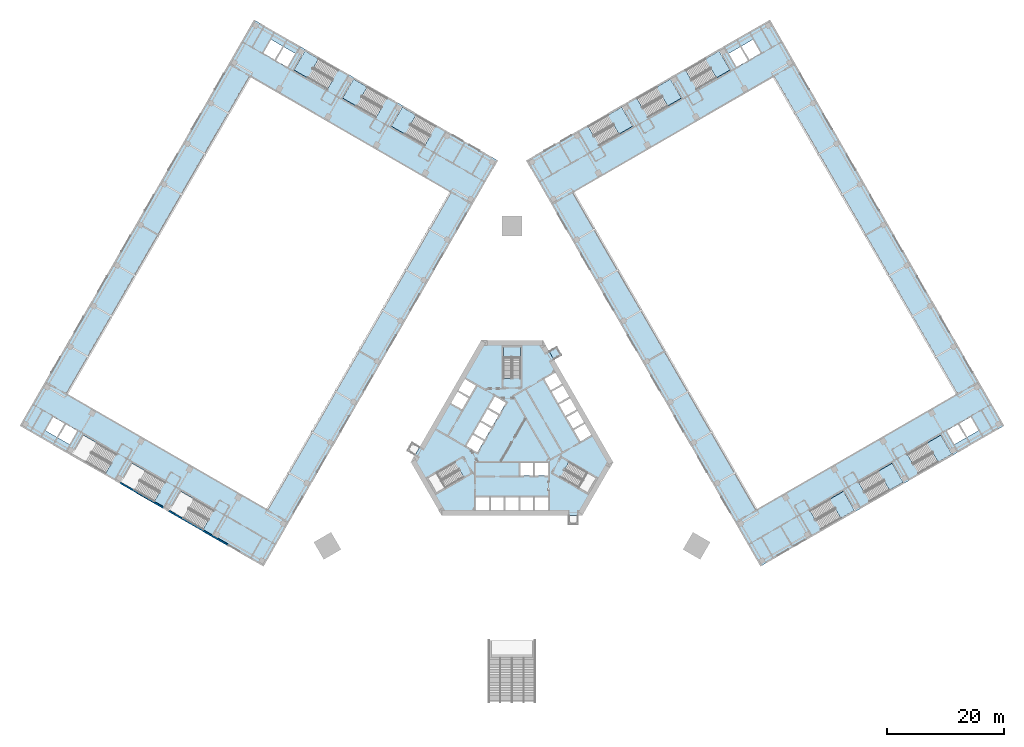
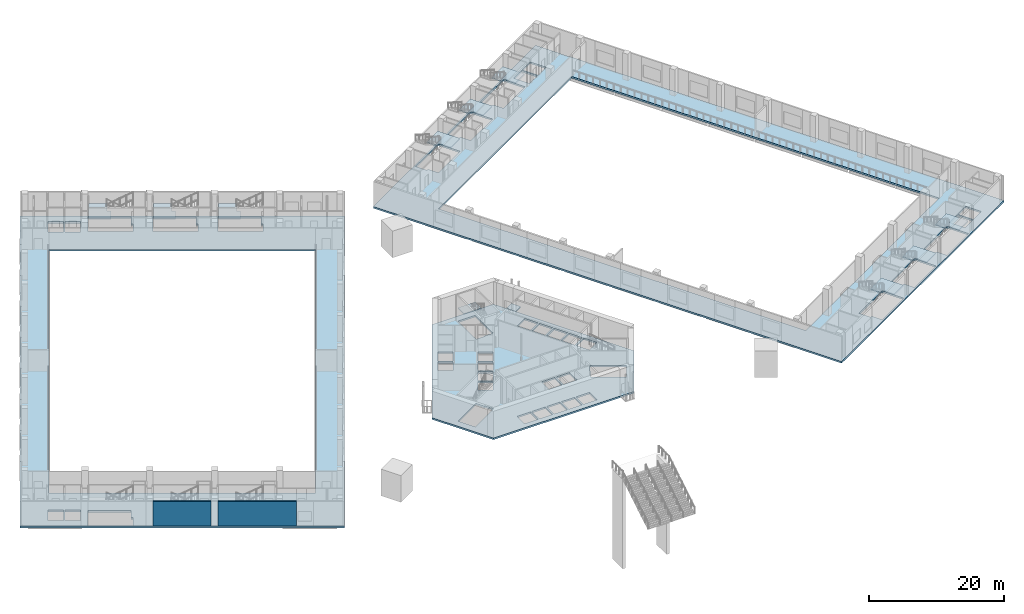
# One storey, part 5 of 28: 14 slabs, 2 walls, 10 elements without a shape of their own.
"""IFC4 building model written with IfcOpenShell, lengths in metres."""

import ifcopenshell
import ifcopenshell.guid

model = None  # the IFC model being written
_history = None  # IfcOwnerHistory: only IFC2X3 demands one
_inside = {}  # id of a spatial element -> (the spatial element, [elements in it])
_under = {}  # id of a project, library or spatial element -> (it, [spatial elements below it])
_declared = {}  # id of a project -> (the project, [libraries it declares])
_typed = {}  # id of a type object -> (the type object, [elements of that type])
_made_of = {}  # id of a material, layer set ... -> (it, [elements and type objects made of it])


def new_model(schema):
    """Start an empty IFC model of exactly this schema.

    Asked for "IFC4X3", IfcOpenShell would pick the latest addendum, in which some entities
    have other attributes; the version numbers below select the first issue.
    IFC2X3 requires an IfcOwnerHistory on every rooted entity: one is made here for all.
    """
    global model, _history
    if schema == "IFC4X3":
        model = ifcopenshell.file(schema_version=(4, 3, 0, 0))
    else:
        model = ifcopenshell.file(schema=schema)
    _inside.clear()
    _under.clear()
    _declared.clear()
    _typed.clear()
    _made_of.clear()
    _history = None
    if model.schema == "IFC2X3":
        org = make("IfcOrganization", Name="unknown")
        user = make(
            "IfcPersonAndOrganization",
            ThePerson=make("IfcPerson", FamilyName="unknown"),
            TheOrganization=org,
        )
        app = make(
            "IfcApplication",
            ApplicationDeveloper=org,
            Version="unknown",
            ApplicationFullName="unknown",
            ApplicationIdentifier="unknown",
        )
        _history = make(
            "IfcOwnerHistory",
            OwningUser=user,
            OwningApplication=app,
            ChangeAction="ADDED",
            CreationDate=0,
        )
    return model


def make(cls, **values):
    """One entity of the class cls with the attributes given. An attribute that is None is left unset."""
    return model.create_entity(
        cls, **{name: value for name, value in values.items() if value is not None}
    )


def rooted(cls, **values):
    """An entity with a GlobalId (a new one), such as an element, a storey or a relation."""
    return make(cls, GlobalId=ifcopenshell.guid.new(), OwnerHistory=_history, **values)


def si_unit(unit_type, name, prefix=None):
    """IfcSIUnit, for example si_unit("LENGTHUNIT", "METRE", prefix="MILLI")."""
    return make("IfcSIUnit", UnitType=unit_type, Prefix=prefix, Name=name)


def assignment(units):
    """IfcUnitAssignment: the units of a project."""
    return None if units is None else make("IfcUnitAssignment", Units=units)


def point(xyz):
    """IfcCartesianPoint."""
    return None if xyz is None else make("IfcCartesianPoint", Coordinates=xyz)


def direction(xyz):
    """IfcDirection."""
    return None if xyz is None else make("IfcDirection", DirectionRatios=xyz)


def frame(location, z_axis=None, x_axis=None):
    """IfcAxis2Placement3D, a coordinate frame: its origin and axes. An axis left out is left unset."""
    return make(
        "IfcAxis2Placement3D",
        Location=point(location),
        Axis=direction(z_axis),
        RefDirection=direction(x_axis),
    )


def frame_2d(location, x_axis=None):
    """IfcAxis2Placement2D, a coordinate frame in the plane: its origin and x axis."""
    return make(
        "IfcAxis2Placement2D", Location=point(location), RefDirection=direction(x_axis)
    )


def origin():
    """The frame at (0, 0, 0) with its axes left unset."""
    return frame((0.0, 0.0, 0.0))


def place(relative_to, where):
    """IfcLocalPlacement: puts the frame where relative to a parent placement (None: the world)."""
    return make(
        "IfcLocalPlacement", PlacementRelTo=relative_to, RelativePlacement=where
    )


def context(
    kind, dimensions, precision=None, world=None, true_north=None, identifier=None
):
    """IfcGeometricRepresentationContext, for example the 3D "Model" context."""
    return make(
        "IfcGeometricRepresentationContext",
        ContextIdentifier=identifier,
        ContextType=kind,
        CoordinateSpaceDimension=dimensions,
        Precision=precision,
        WorldCoordinateSystem=world,
        TrueNorth=true_north,
    )


def subcontext(parent, identifier, kind, view, scale=None):
    """IfcGeometricRepresentationSubContext, for example "Body" below "Model"."""
    return make(
        "IfcGeometricRepresentationSubContext",
        ContextIdentifier=identifier,
        ContextType=kind,
        ParentContext=parent,
        TargetScale=scale,
        TargetView=view,
    )


def project(units=None, contexts=None):
    """IfcProject with its units and contexts."""
    return rooted(
        "IfcProject",
        Name="project",
        RepresentationContexts=contexts,
        UnitsInContext=assignment(units),
    )


def spatial(cls, under=None, at=None, **own):
    """A site, building, storey or space (cls), placed at a placement, below another one or the project."""
    s = rooted(cls, ObjectPlacement=at, **own)
    if under is not None:
        _under.setdefault(under.id(), (under, []))[1].append(s)
    return s


def polyline(points):
    """IfcPolyline through the points."""
    return make("IfcPolyline", Points=[point(p) for p in points])


def profile(cls, at=None, kind="AREA", **sizes):
    """A parametric profile (cls). Its sizes go by their IFC names, for example OverallWidth=200.0."""
    return make(cls, ProfileType=kind, Position=at, **sizes)


def rectangle(**sizes):
    """IfcRectangleProfileDef."""
    return profile("IfcRectangleProfileDef", **sizes)


def outline(outer, holes=None, kind="AREA"):
    """IfcArbitraryClosedProfileDef: a profile drawn as a closed curve; with holes, ...WithVoids."""
    if holes is None:
        return make("IfcArbitraryClosedProfileDef", ProfileType=kind, OuterCurve=outer)
    return make(
        "IfcArbitraryProfileDefWithVoids",
        ProfileType=kind,
        OuterCurve=outer,
        InnerCurves=holes,
    )


def extrude(swept, where, along, depth):
    """IfcExtrudedAreaSolid: the profile swept, set in the frame where, extruded along a direction by depth."""
    return make(
        "IfcExtrudedAreaSolid",
        SweptArea=swept,
        Position=where,
        ExtrudedDirection=direction(along),
        Depth=depth,
    )


def shape(context_of_items, identifier, shape_type, items):
    """IfcShapeRepresentation: the items that make up one representation, for example the "Body"."""
    return make(
        "IfcShapeRepresentation",
        ContextOfItems=context_of_items,
        RepresentationIdentifier=identifier,
        RepresentationType=shape_type,
        Items=items,
    )


def material(Name=None, Category=None):
    """IfcMaterial."""
    return make("IfcMaterial", Name=Name, Category=Category)


def layer(
    of_material, thickness, ventilated=None, Name=None, Category=None, Priority=None
):
    """IfcMaterialLayer: one layer of a wall or slab, of a material (None: an air gap)."""
    return make(
        "IfcMaterialLayer",
        Material=of_material,
        LayerThickness=thickness,
        IsVentilated=ventilated,
        Name=Name,
        Category=Category,
        Priority=Priority,
    )


def layer_set(layers, Name=None):
    """IfcMaterialLayerSet."""
    return make("IfcMaterialLayerSet", MaterialLayers=layers, LayerSetName=Name)


def made_of(thing, what):
    """Note that an element or type object is made of a material, layer set ...; save() writes the relation."""
    if what is not None:
        _made_of.setdefault(what.id(), (what, []))[1].append(thing)
    return thing


def type_object(cls, material=None, **own):
    """A type object (cls), such as IfcWallType, which elements share."""
    return made_of(rooted(cls, **own), material)


def element(
    cls,
    number,
    at=None,
    inside=None,
    cuts=None,
    type_object=None,
    material=None,
    context=None,
    identifier="Body",
    shape_type=None,
    held_by="IfcProductDefinitionShape",
    body=None,
    shapes=None,
    **own,
):
    """One element of the class cls, such as IfcWall. Its Tag is "e" and its number.

    at: its placement. inside: the storey or other place that contains it. cuts: it is an
    opening in that element (IfcRelVoidsElement). A single representation is given by context,
    identifier, shape_type and body (its items); several are given by shapes. held_by: the class
    of the entity that holds the representations. save() writes the other relations.
    """
    e = rooted(cls, Tag="e%d" % number, ObjectPlacement=at, **own)
    if body is not None:
        shapes = [shape(context, identifier, shape_type, body)]
    if shapes is not None:
        e.Representation = make(held_by, Representations=shapes)
    if inside is not None:
        _inside.setdefault(inside.id(), (inside, []))[1].append(e)
    if cuts is not None:
        rooted(
            "IfcRelVoidsElement", RelatingBuildingElement=cuts, RelatedOpeningElement=e
        )
    if type_object is not None:
        _typed.setdefault(type_object.id(), (type_object, []))[1].append(e)
    return made_of(e, material)


def aggregate(whole, parts):
    """IfcRelAggregates: a whole, such as a stair, and the parts it consists of."""
    return rooted("IfcRelAggregates", RelatingObject=whole, RelatedObjects=parts)


def save(model, path):
    """Write the relations noted so far, then the file.

    IfcRelAggregates (storeys below a building ...), IfcRelContainedInSpatialStructure (elements
    in a storey), IfcRelDefinesByType, IfcRelAssociatesMaterial and IfcRelDeclares: one each for
    every whole, place, type object, material and project.
    """
    for whole, parts in _under.values():
        aggregate(whole, parts)
    for where, things in _inside.values():
        rooted(
            "IfcRelContainedInSpatialStructure",
            RelatedElements=things,
            RelatingStructure=where,
        )
    for kind, things in _typed.values():
        rooted("IfcRelDefinesByType", RelatedObjects=things, RelatingType=kind)
    for what, things in _made_of.values():
        rooted("IfcRelAssociatesMaterial", RelatedObjects=things, RelatingMaterial=what)
    for by, libraries in _declared.values():
        rooted("IfcRelDeclares", RelatingContext=by, RelatedDefinitions=libraries)
    model.write(path)


model = new_model("IFC4")

# Units and contexts
model_context = context("Model", 3, precision=1e-05, world=origin(), true_north=direction((0.0, 1.0)))
body_context = subcontext(model_context, "Body", "Model", "MODEL_VIEW")
ifc_project = project(units=[si_unit("LENGTHUNIT", "METRE"), si_unit("AREAUNIT", "SQUARE_METRE"), si_unit("VOLUMEUNIT", "CUBIC_METRE"), si_unit("PLANEANGLEUNIT", "RADIAN"), si_unit("MASSUNIT", "GRAM", prefix="KILO")], contexts=[model_context])

# Site, building, storey
site_placement = place(None, origin())
site = spatial("IfcSite", under=ifc_project, at=site_placement, CompositionType="ELEMENT")
building_placement = place(site_placement, origin())
building = spatial("IfcBuilding", under=site, at=building_placement, Name="Mestral Congress Tower", CompositionType="ELEMENT")
storey_placement = place(building_placement, frame((0.0, 0.0, 11.39990234375)))
storey = spatial("IfcBuildingStorey", under=building, at=storey_placement, Name="L02", CompositionType="ELEMENT", Elevation=11.39990234375)

# Slabs
ifc_material_1 = material(Name="Concrete C35/45", Category="concrete")
ifc_layer_1 = layer(ifc_material_1, 0.300048828125)
ifc_layer_set_1 = layer_set([ifc_layer_1], Name="Concrete C35/45")
slab_type_1 = type_object("IfcSlabType", Name="Composite floor slab 300", PredefinedType="FLOOR", material=ifc_layer_set_1)
placement_1 = place(storey_placement, frame((0.0, 0.0, -0.2998046875)))
element("IfcSlab", 1, at=placement_1, inside=storey, type_object=slab_type_1, Name="SL-L02-E-0", PredefinedType="FLOOR", context=body_context, shape_type="SweptSolid", body=[
    extrude(outline(polyline([(42.454345703125, -21.677001953125), (84.0234375, 2.322998046875), (44.0234375, 71.60498046875), (2.454345703125, 47.60498046875), (42.454345703125, -21.677001953125)]), holes=[polyline([(50.898681640625, -12.182861328125), (56.6923828125, -8.837890625), (57.59228515625, -10.396728515625), (57.667236328125, -10.526611328125), (58.5673828125, -12.08544921875), (53.024658203125, -15.285400390625), (52.124755859375, -13.7265625), (51.87353515625, -13.87158203125), (51.798583984375, -13.74169921875), (50.898681640625, -12.182861328125)]), polyline([(75.987060546875, 7.642578125), (41.86572265625, -12.0576171875), (10.49072265625, 42.28564453125), (44.612060546875, 61.985595703125), (75.987060546875, 7.642578125)]), polyline([(59.21240234375, -7.3828125), (65.006103515625, -4.037841796875), (65.906005859375, -5.5966796875), (65.981201171875, -5.7265625), (66.881103515625, -7.285400390625), (61.338623046875, -10.485595703125), (60.438720703125, -8.926513671875), (60.1875, -9.071533203125), (60.1123046875, -8.941650390625), (59.21240234375, -7.3828125)]), polyline([(68.42626953125, -4.1416015625), (67.5263671875, -2.5830078125), (73.320068359375, 0.76220703125), (74.219970703125, -0.796630859375), (74.294921875, -0.926513671875), (75.195068359375, -2.485595703125), (69.65234375, -5.685546875), (68.75244140625, -4.126708984375), (68.501220703125, -4.271484375), (68.42626953125, -4.1416015625)]), polyline([(76.189453125, 2.592041015625), (77.53955078125, 0.253662109375), (75.547607421875, -0.896240234375), (74.197509765625, 1.44189453125), (76.189453125, 2.592041015625)]), polyline([(79.70458984375, 1.503662109375), (77.712646484375, 0.353759765625), (76.36279296875, 2.69189453125), (78.3544921875, 3.842041015625), (79.70458984375, 1.503662109375)]), polyline([(13.923583984375, 51.859619140625), (13.023681640625, 53.41845703125), (18.8173828125, 56.763427734375), (19.71728515625, 55.20458984375), (19.792236328125, 55.07470703125), (20.6923828125, 53.515869140625), (15.149658203125, 50.31591796875), (14.249755859375, 51.874755859375), (13.99853515625, 51.729736328125), (13.923583984375, 51.859619140625)]), polyline([(22.2373046875, 56.65966796875), (21.33740234375, 58.218505859375), (27.131103515625, 61.5634765625), (28.031005859375, 60.004638671875), (28.106201171875, 59.874755859375), (29.006103515625, 58.31591796875), (23.463623046875, 55.115966796875), (22.563720703125, 56.6748046875), (22.3125, 56.52978515625), (22.2373046875, 56.65966796875)]), polyline([(29.6513671875, 63.0185546875), (35.445068359375, 66.363525390625), (36.344970703125, 64.8046875), (36.419921875, 64.6748046875), (37.320068359375, 63.115966796875), (31.77734375, 59.916015625), (30.87744140625, 61.474853515625), (30.626220703125, 61.329833984375), (30.55126953125, 61.459716796875), (29.6513671875, 63.0185546875)]), polyline([(38.989501953125, 67.0244140625), (40.339599609375, 64.68603515625), (38.34765625, 63.535888671875), (36.99755859375, 65.874267578125), (38.989501953125, 67.0244140625)]), polyline([(41.154541015625, 68.2744140625), (42.50439453125, 65.93603515625), (40.5126953125, 64.785888671875), (39.16259765625, 67.124267578125), (41.154541015625, 68.2744140625)])]), origin(), (0.0, 0.0, 1.0), 0.2998046875),
])
element("IfcSlab", 2, at=placement_1, inside=storey, type_object=slab_type_1, Name="SL-L02-W-0", PredefinedType="FLOOR", context=body_context, shape_type="SweptSolid", body=[
    extrude(outline(polyline([(-2.454345703125, 47.60498046875), (-44.0234375, 71.60498046875), (-84.0234375, 2.322998046875), (-42.454345703125, -21.677001953125), (-2.454345703125, 47.60498046875)]), holes=[polyline([(-14.898681640625, 50.1708984375), (-20.6923828125, 53.515869140625), (-19.792236328125, 55.07470703125), (-19.71728515625, 55.20458984375), (-18.8173828125, 56.763427734375), (-13.274658203125, 53.5634765625), (-14.1748046875, 52.004638671875), (-13.923583984375, 51.859619140625), (-13.99853515625, 51.729736328125), (-14.898681640625, 50.1708984375)]), polyline([(-44.612060546875, 61.985595703125), (-10.49072265625, 42.285400390625), (-41.86572265625, -12.0576171875), (-75.987060546875, 7.642333984375), (-44.612060546875, 61.985595703125)]), polyline([(-23.21240234375, 54.970947265625), (-29.006103515625, 58.31591796875), (-28.106201171875, 59.874755859375), (-28.031005859375, 60.004638671875), (-27.131103515625, 61.5634765625), (-21.588623046875, 58.363525390625), (-22.488525390625, 56.8046875), (-22.2373046875, 56.65966796875), (-22.3125, 56.52978515625), (-23.21240234375, 54.970947265625)]), polyline([(-30.626220703125, 61.32958984375), (-31.5263671875, 59.77099609375), (-37.320068359375, 63.115966796875), (-36.419921875, 64.6748046875), (-36.344970703125, 64.8046875), (-35.445068359375, 66.363525390625), (-29.90234375, 63.16357421875), (-30.802490234375, 61.6044921875), (-30.55126953125, 61.459716796875), (-30.626220703125, 61.32958984375)]), polyline([(-40.339599609375, 64.68603515625), (-38.989501953125, 67.0244140625), (-36.99755859375, 65.874267578125), (-38.34765625, 63.535888671875), (-40.339599609375, 64.68603515625)]), polyline([(-41.154541015625, 68.2744140625), (-39.16259765625, 67.124267578125), (-40.5126953125, 64.785888671875), (-42.50439453125, 65.93603515625), (-41.154541015625, 68.2744140625)]), polyline([(-51.87353515625, -13.87158203125), (-52.773681640625, -15.430419921875), (-58.5673828125, -12.08544921875), (-57.667236328125, -10.526611328125), (-57.59228515625, -10.396728515625), (-56.6923828125, -8.837890625), (-51.149658203125, -12.037841796875), (-52.0498046875, -13.5966796875), (-51.798583984375, -13.74169921875), (-51.87353515625, -13.87158203125)]), polyline([(-60.1875, -9.07177734375), (-61.08740234375, -10.630615234375), (-66.881103515625, -7.285400390625), (-65.981201171875, -5.726806640625), (-65.906005859375, -5.5966796875), (-65.006103515625, -4.037841796875), (-59.463623046875, -7.23779296875), (-60.363525390625, -8.796875), (-60.1123046875, -8.94189453125), (-60.1875, -9.07177734375)]), polyline([(-69.4013671875, -5.83056640625), (-75.195068359375, -2.485595703125), (-74.294921875, -0.9267578125), (-74.219970703125, -0.796875), (-73.320068359375, 0.76220703125), (-67.77734375, -2.43798828125), (-68.677490234375, -3.996826171875), (-68.42626953125, -4.141845703125), (-68.501220703125, -4.271728515625), (-69.4013671875, -5.83056640625)]), polyline([(-77.53955078125, 0.253662109375), (-76.189453125, 2.592041015625), (-74.197509765625, 1.44189453125), (-75.547607421875, -0.896240234375), (-77.53955078125, 0.253662109375)]), polyline([(-79.70458984375, 1.503662109375), (-78.3544921875, 3.842041015625), (-76.36279296875, 2.69189453125), (-77.712646484375, 0.353759765625), (-79.70458984375, 1.503662109375)])]), origin(), (0.0, 0.0, 1.0), 0.2998046875),
])
ifc_material_2 = material(Name="Concrete C60/75", Category="concrete")
ifc_layer_2 = layer(ifc_material_2, 0.300048828125)
ifc_layer_set_2 = layer_set([ifc_layer_2], Name="Concrete C60/75")
slab_type_2 = type_object("IfcSlabType", Name="Core floor slab RC 300", PredefinedType="FLOOR", material=ifc_layer_set_2)
element("IfcSlab", 3, at=placement_1, inside=storey, type_object=slab_type_2, Name="L02 core floor", PredefinedType="FLOOR", context=body_context, shape_type="SweptSolid", body=[
    extrude(outline(polyline([(12.0087890625, -13.0), (-12.0087890625, -13.0), (-17.2626953125, -3.89990234375), (-5.25390625, 16.89990234375), (5.25390625, 16.89990234375), (17.2626953125, -3.89990234375), (12.0087890625, -13.0)]), holes=[polyline([(-3.905029296875, -9.89990234375), (-6.175048828125, -9.89990234375), (-6.175048828125, -12.10009765625), (-3.905029296875, -12.10009765625), (-3.905029296875, -9.89990234375)]), polyline([(-1.385009765625, -9.89990234375), (-3.655029296875, -9.89990234375), (-3.655029296875, -12.10009765625), (-1.385009765625, -12.10009765625), (-1.385009765625, -9.89990234375)]), polyline([(1.135009765625, -9.89990234375), (-1.135009765625, -9.89990234375), (-1.135009765625, -12.10009765625), (1.135009765625, -12.10009765625), (1.135009765625, -9.89990234375)]), polyline([(-9.0673828125, -5.235107421875), (-9.8046875, -3.95751953125), (-14.37744140625, -6.59765625), (-12.90234375, -9.15234375), (-8.234619140625, -6.45751953125), (-8.971923828125, -5.179931640625), (-9.0673828125, -5.235107421875)]), polyline([(-7.826904296875, -1.156494140625), (-5.921630859375, -2.256591796875), (-4.78662109375, -0.29052734375), (-6.69189453125, 0.809326171875), (-7.826904296875, -1.156494140625)]), polyline([(-4.66162109375, -0.07421875), (-3.526611328125, 1.8916015625), (-5.431884765625, 2.99169921875), (-6.56689453125, 1.02587890625), (-4.66162109375, -0.07421875)]), polyline([(-3.401611328125, 2.1083984375), (-2.2666015625, 4.07421875), (-4.171875, 5.174072265625), (-5.306884765625, 3.208251953125), (-3.401611328125, 2.1083984375)]), polyline([(-2.1416015625, 4.29052734375), (-1.006591796875, 6.256591796875), (-2.911865234375, 7.3564453125), (-4.046875, 5.390625), (-2.1416015625, 4.29052734375)]), polyline([(-10.41650390625, 6.158203125), (-8.51123046875, 5.058349609375), (-7.376220703125, 7.024169921875), (-9.281494140625, 8.1240234375), (-10.41650390625, 6.158203125)]), polyline([(-9.156494140625, 8.340576171875), (-7.251220703125, 7.240478515625), (-6.1162109375, 9.20654296875), (-8.021484375, 10.306396484375), (-9.156494140625, 8.340576171875)]), polyline([(1.47509765625, 10.469970703125), (1.47509765625, 15.75), (-1.47509765625, 15.75), (-1.47509765625, 10.360107421875), (0.0, 10.360107421875), (0.0, 10.469970703125), (1.47509765625, 10.469970703125)]), polyline([(3.655029296875, -9.89990234375), (1.385009765625, -9.89990234375), (1.385009765625, -12.10009765625), (3.655029296875, -12.10009765625), (3.655029296875, -9.89990234375)]), polyline([(6.175048828125, -9.89990234375), (3.905029296875, -9.89990234375), (3.905029296875, -12.10009765625), (6.175048828125, -12.10009765625), (6.175048828125, -9.89990234375)]), polyline([(9.0673828125, -5.235107421875), (8.329833984375, -6.512451171875), (12.90234375, -9.15234375), (14.37744140625, -6.59765625), (9.70947265625, -3.902587890625), (8.971923828125, -5.179931640625), (9.0673828125, -5.235107421875)]), polyline([(3.655029296875, -6.199951171875), (3.655029296875, -4.0), (1.385009765625, -4.0), (1.385009765625, -6.199951171875), (3.655029296875, -6.199951171875)]), polyline([(6.175048828125, -4.0), (3.905029296875, -4.0), (3.905029296875, -6.199951171875), (6.175048828125, -6.199951171875), (6.175048828125, -4.0)]), polyline([(12.431396484375, 2.668212890625), (10.526123046875, 1.568115234375), (11.6611328125, -0.397705078125), (13.56640625, 0.702392578125), (12.431396484375, 2.668212890625)]), polyline([(11.17138671875, 4.8505859375), (9.26611328125, 3.75048828125), (10.401123046875, 1.78466796875), (12.306396484375, 2.884765625), (11.17138671875, 4.8505859375)]), polyline([(8.006103515625, 5.932861328125), (9.14111328125, 3.967041015625), (11.04638671875, 5.067138671875), (9.911376953125, 7.032958984375), (8.006103515625, 5.932861328125)]), polyline([(8.6513671875, 9.21533203125), (6.74609375, 8.115234375), (7.881103515625, 6.1494140625), (9.786376953125, 7.24951171875), (8.6513671875, 9.21533203125)]), polyline([(7.391357421875, 11.397705078125), (5.486083984375, 10.297607421875), (6.62109375, 8.331787109375), (8.5263671875, 9.431884765625), (7.391357421875, 11.397705078125)])]), origin(), (0.0, 0.0, 1.0), 0.2998046875),
])

# Stair, slab
stair_type_1 = type_object("IfcStairType", Name="Exit stair 1400", PredefinedType="HALF_TURN_STAIR", material=ifc_material_2)
placement_2 = place(storey_placement, origin())
stair_1 = element("IfcStair", 4, at=placement_2, inside=storey, type_object=stair_type_1, Name="L02 ST2", PredefinedType="HALF_TURN_STAIR")
ifc_layer_3 = layer(ifc_material_2, 0.199951171875)
ifc_layer_set_3 = layer_set([ifc_layer_3], Name="Concrete C60/75")
slab_type_3 = type_object("IfcSlabType", Name="Exit stair landing 200", PredefinedType="LANDING", material=ifc_layer_set_3)
placement_3 = place(storey_placement, frame((0.0, 0.0, 2.2001953125)))
slab_4 = element("IfcSlab", 5, at=placement_3, type_object=slab_type_3, Name="ST2 landing 1", PredefinedType="LANDING", context=body_context, shape_type="SweptSolid", body=[
    extrude(outline(polyline([(1.485107421875, 13.97998046875), (-1.485107421875, 13.97998046875), (-1.485107421875, 15.760009765625), (1.485107421875, 15.760009765625), (1.485107421875, 13.97998046875)])), origin(), (0.0, 0.0, 1.0), 0.199951171875),
])
aggregate(stair_1, [slab_4])

# Slab
ifc_material_3 = material(Name="Concrete C40/50", Category="concrete")
ifc_layer_4 = layer(ifc_material_3, 0.199951171875)
ifc_layer_set_4 = layer_set([ifc_layer_4], Name="Concrete C40/50")
slab_type_4 = type_object("IfcSlabType", Name="Podium door landing slab 200", PredefinedType="LANDING", material=ifc_layer_set_4)
slab_5_placement = place(storey_placement, frame((0.0, 0.0, -0.199951171875)))
element("IfcSlab", 6, at=slab_5_placement, inside=storey, type_object=slab_type_4, Name="Door landing", PredefinedType="LANDING", context=body_context, shape_type="SweptSolid", body=[
    extrude(outline(polyline([(7.140625, 13.632080078125), (8.439697265625, 14.382080078125), (7.6396484375, 15.767822265625), (6.340576171875, 15.017822265625), (7.140625, 13.632080078125)])), origin(), (0.0, 0.0, 1.0), 0.199951171875),
])

# Stair, slab
stair_type_2 = type_object("IfcStairType", Name="Podium exit stair 1800", PredefinedType="HALF_TURN_STAIR", material=ifc_material_3)
stair_2 = element("IfcStair", 7, at=placement_2, inside=storey, type_object=stair_type_2, Name="L02 Exit stair E1", PredefinedType="HALF_TURN_STAIR")
ifc_layer_5 = layer(ifc_material_3, 0.199951171875)
ifc_layer_set_5 = layer_set([ifc_layer_5], Name="Concrete C40/50")
slab_type_5 = type_object("IfcSlabType", Name="Podium exit stair landing 200", PredefinedType="LANDING", material=ifc_layer_set_5)
slab_6 = element("IfcSlab", 8, at=placement_3, type_object=slab_type_5, Name="PS-E1 landing 1", PredefinedType="LANDING", context=body_context, shape_type="SweptSolid", body=[
    extrude(outline(polyline([(58.480712890625, -12.135498046875), (56.151123046875, -13.48046875), (55.176025390625, -11.791748046875), (54.6650390625, -12.086669921875), (53.76513671875, -10.52783203125), (56.605712890625, -8.887939453125), (58.480712890625, -12.135498046875)])), origin(), (0.0, 0.0, 1.0), 0.199951171875),
])
aggregate(stair_2, [slab_6])

stair_3 = element("IfcStair", 9, at=placement_2, inside=storey, type_object=stair_type_2, Name="L02 Exit stair E2", PredefinedType="HALF_TURN_STAIR")
slab_7 = element("IfcSlab", 10, at=placement_3, type_object=slab_type_5, Name="PS-E2 landing 1", PredefinedType="LANDING", context=body_context, shape_type="SweptSolid", body=[
    extrude(outline(polyline([(66.79443359375, -7.33544921875), (64.46484375, -8.680419921875), (63.489990234375, -6.99169921875), (62.97900390625, -7.286865234375), (62.078857421875, -5.727783203125), (64.91943359375, -4.087890625), (66.79443359375, -7.33544921875)])), origin(), (0.0, 0.0, 1.0), 0.199951171875),
])
aggregate(stair_3, [slab_7])

stair_4 = element("IfcStair", 11, at=placement_2, inside=storey, type_object=stair_type_2, Name="L02 Exit stair E3", PredefinedType="HALF_TURN_STAIR")
slab_8 = element("IfcSlab", 12, at=placement_3, type_object=slab_type_5, Name="PS-E3 landing 1", PredefinedType="LANDING", context=body_context, shape_type="SweptSolid", body=[
    extrude(outline(polyline([(75.1083984375, -2.535400390625), (72.77880859375, -3.880615234375), (71.8037109375, -2.191650390625), (71.292724609375, -2.48681640625), (70.392822265625, -0.927978515625), (73.2333984375, 0.712158203125), (75.1083984375, -2.535400390625)])), origin(), (0.0, 0.0, 1.0), 0.199951171875),
])
aggregate(stair_4, [slab_8])

stair_5 = element("IfcStair", 13, at=placement_2, inside=storey, type_object=stair_type_2, Name="L02 Exit stair E4", PredefinedType="HALF_TURN_STAIR")
slab_9 = element("IfcSlab", 14, at=placement_3, type_object=slab_type_5, Name="PS-E4 landing 1", PredefinedType="LANDING", context=body_context, shape_type="SweptSolid", body=[
    extrude(outline(polyline([(20.605712890625, 53.4658203125), (18.276123046875, 52.120849609375), (17.301025390625, 53.8095703125), (16.7900390625, 53.5146484375), (15.89013671875, 55.073486328125), (18.730712890625, 56.71337890625), (20.605712890625, 53.4658203125)])), origin(), (0.0, 0.0, 1.0), 0.199951171875),
])
aggregate(stair_5, [slab_9])

stair_6 = element("IfcStair", 15, at=placement_2, inside=storey, type_object=stair_type_2, Name="L02 Exit stair E5", PredefinedType="HALF_TURN_STAIR")
slab_10 = element("IfcSlab", 16, at=placement_3, type_object=slab_type_5, Name="PS-E5 landing 1", PredefinedType="LANDING", context=body_context, shape_type="SweptSolid", body=[
    extrude(outline(polyline([(28.91943359375, 58.265869140625), (26.58984375, 56.9208984375), (25.614990234375, 58.609619140625), (25.10400390625, 58.314697265625), (24.203857421875, 59.87353515625), (27.04443359375, 61.513427734375), (28.91943359375, 58.265869140625)])), origin(), (0.0, 0.0, 1.0), 0.199951171875),
])
aggregate(stair_6, [slab_10])

stair_7 = element("IfcStair", 17, at=placement_2, inside=storey, type_object=stair_type_2, Name="L02 Exit stair E6", PredefinedType="HALF_TURN_STAIR")
slab_11 = element("IfcSlab", 18, at=placement_3, type_object=slab_type_5, Name="PS-E6 landing 1", PredefinedType="LANDING", context=body_context, shape_type="SweptSolid", body=[
    extrude(outline(polyline([(37.2333984375, 63.06591796875), (34.90380859375, 61.720947265625), (33.9287109375, 63.40966796875), (33.417724609375, 63.11474609375), (32.517822265625, 64.673583984375), (35.3583984375, 66.3134765625), (37.2333984375, 63.06591796875)])), origin(), (0.0, 0.0, 1.0), 0.199951171875),
])
aggregate(stair_7, [slab_11])

stair_8 = element("IfcStair", 19, at=placement_2, inside=storey, type_object=stair_type_2, Name="L02 Exit stair W1", PredefinedType="HALF_TURN_STAIR")
slab_12 = element("IfcSlab", 20, at=placement_3, type_object=slab_type_5, Name="PS-W1 landing 1", PredefinedType="LANDING", context=body_context, shape_type="SweptSolid", body=[
    extrude(outline(polyline([(-16.865234375, 53.384765625), (-17.76513671875, 51.825927734375), (-20.605712890625, 53.4658203125), (-18.730712890625, 56.71337890625), (-16.401123046875, 55.368408203125), (-17.376220703125, 53.6796875), (-16.865234375, 53.384765625)])), origin(), (0.0, 0.0, 1.0), 0.199951171875),
])
aggregate(stair_8, [slab_12])

stair_9 = element("IfcStair", 21, at=placement_2, inside=storey, type_object=stair_type_2, Name="L02 Exit stair W2", PredefinedType="HALF_TURN_STAIR")
slab_13 = element("IfcSlab", 22, at=placement_3, type_object=slab_type_5, Name="PS-W2 landing 1", PredefinedType="LANDING", context=body_context, shape_type="SweptSolid", body=[
    extrude(outline(polyline([(-25.178955078125, 58.184814453125), (-26.078857421875, 56.6259765625), (-28.91943359375, 58.265869140625), (-27.04443359375, 61.513427734375), (-24.71484375, 60.16845703125), (-25.68994140625, 58.479736328125), (-25.178955078125, 58.184814453125)])), origin(), (0.0, 0.0, 1.0), 0.199951171875),
])
aggregate(stair_9, [slab_13])

stair_10 = element("IfcStair", 23, at=placement_2, inside=storey, type_object=stair_type_2, Name="L02 Exit stair W3", PredefinedType="HALF_TURN_STAIR")
slab_14 = element("IfcSlab", 24, at=placement_3, type_object=slab_type_5, Name="PS-W3 landing 1", PredefinedType="LANDING", context=body_context, shape_type="SweptSolid", body=[
    extrude(outline(polyline([(-33.49267578125, 62.98486328125), (-34.392822265625, 61.426025390625), (-37.2333984375, 63.06591796875), (-35.3583984375, 66.3134765625), (-33.02880859375, 64.968505859375), (-34.003662109375, 63.27978515625), (-33.49267578125, 62.98486328125)])), origin(), (0.0, 0.0, 1.0), 0.199951171875),
])
aggregate(stair_10, [slab_14])

# Walls
ifc_material_4 = material(Name="Precast concrete C40/50 with limestone facing", Category="masonry")
ifc_layer_6 = layer(ifc_material_4, 0.25)
ifc_layer_set_6 = layer_set([ifc_layer_6], Name="Precast concrete C40/50 with limestone facing")
wall_type = type_object("IfcWallType", Name="Podium external wall 250", PredefinedType="SOLIDWALL", material=ifc_layer_set_6)
wall_1_placement = place(storey_placement, frame((-48.562255859375, -18.00634765625, 0.0), z_axis=(0.0, 0.0, 1.0), x_axis=(-0.866027159341, 0.499996959274, 0.0)))
element("IfcWall", 25, at=wall_1_placement, inside=storey, type_object=wall_type, Name="L02 external wall", PredefinedType="SOLIDWALL", context=body_context, shape_type="SweptSolid", body=[
    extrude(rectangle(XDim=11.625, YDim=0.25, at=frame_2d((5.8125, 0.0))), origin(), (0.0, 0.0, 1.0), 4.5),
])
wall_2_placement = place(storey_placement, frame((-59.495849609375, -11.69384765625, 0.0), z_axis=(0.0, 0.0, 1.0), x_axis=(-0.866021068297, 0.500007509209, 0.0)))
element("IfcWall", 26, at=wall_2_placement, inside=storey, type_object=wall_type, Name="L02 external wall", PredefinedType="SOLIDWALL", context=body_context, shape_type="SweptSolid", body=[
    extrude(rectangle(XDim=8.599853515625, YDim=0.25, at=frame_2d((4.2998046875, 0.0))), origin(), (0.0, 0.0, 1.0), 4.5),
])

save(model, "model.ifc")
